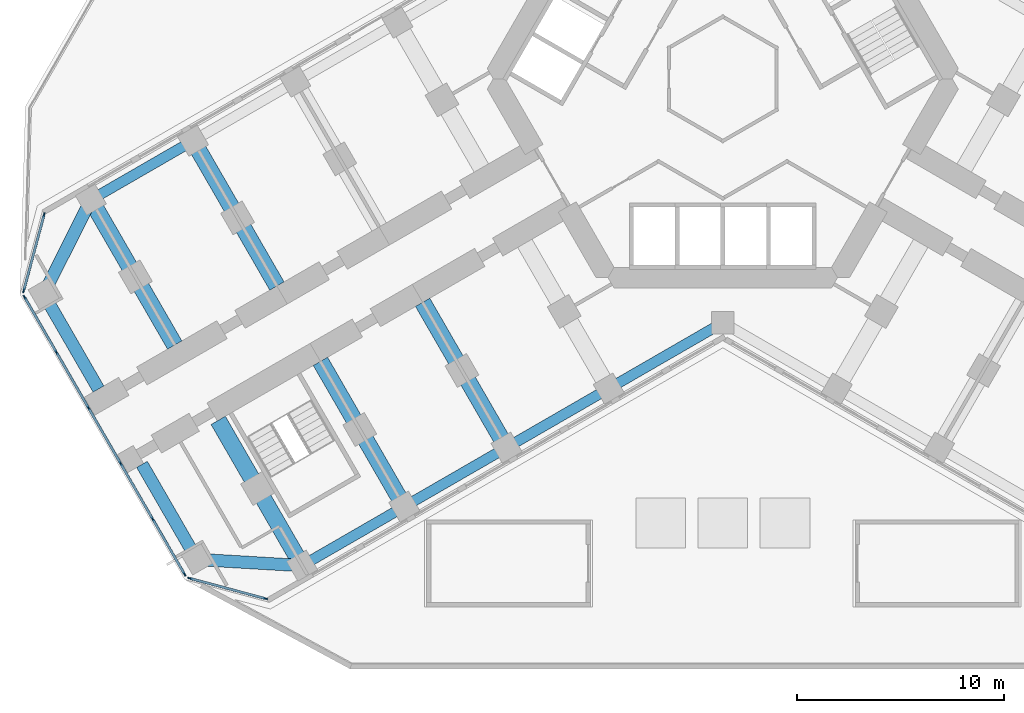
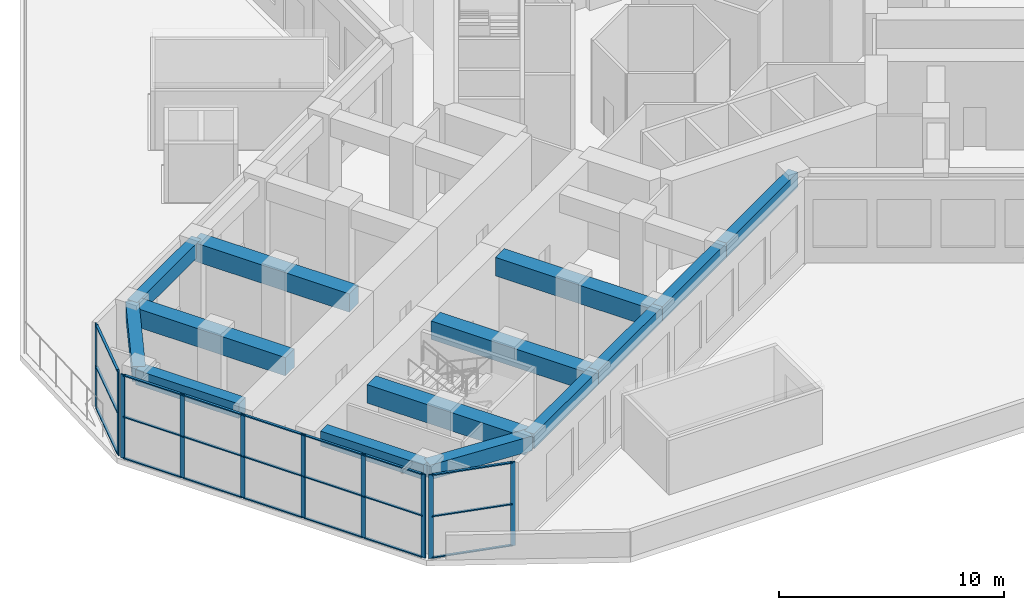
# One storey, part 2 of 18: 31 members, 14 beams, 3 elements without a shape of their own.
"""IFC4 building model written with IfcOpenShell, lengths in metres."""

from ifc_helpers import new_model, si_unit, direction, frame, origin, origin_2d, place, context, subcontext, project, spatial, rectangle, extrude, material, material_profile, profile_set, type_object, element, aggregate, save


model = new_model("IFC4")

# Units and contexts
model_context = context("Model", 3, precision=1e-05, world=origin(), true_north=direction((0.0, 1.0)))
body_context = subcontext(model_context, "Body", "Model", "MODEL_VIEW")
ifc_project = project(units=[si_unit("LENGTHUNIT", "METRE"), si_unit("AREAUNIT", "SQUARE_METRE"), si_unit("VOLUMEUNIT", "CUBIC_METRE"), si_unit("PLANEANGLEUNIT", "RADIAN"), si_unit("MASSUNIT", "GRAM", prefix="KILO")], contexts=[model_context])

# Site, building, storey
site_placement = place(None, origin())
site = spatial("IfcSite", under=ifc_project, at=site_placement, CompositionType="ELEMENT")
building_placement = place(site_placement, origin())
building = spatial("IfcBuilding", under=site, at=building_placement, Name="Kosmar Iwan School Tower", CompositionType="ELEMENT")
storey_placement = place(building_placement, frame((0.0, 0.0, 20.39990234375)))
storey = spatial("IfcBuildingStorey", under=building, at=storey_placement, Name="L04", CompositionType="ELEMENT", Elevation=20.39990234375)

# Curtain wall, members
ifc_material_1 = material(Name="Dark glass in black aluminium frame", Category="aluminium")
curtain_wall_type_1 = type_object("IfcCurtainWallType", Name="Chamfer curtain wall dark glass", PredefinedType="USERDEFINED", material=ifc_material_1)
curtain_wall_1_placement = place(storey_placement, origin())
curtain_wall_1 = element("IfcCurtainWall", 1, at=curtain_wall_1_placement, inside=storey, type_object=curtain_wall_type_1, Name="Curtain wall L04-F12", ObjectType="FACETED CURTAIN WALL", PredefinedType="USERDEFINED")
ifc_material_2 = material(Name="Black anodised aluminium", Category="aluminium")
ifc_material_profile_1 = material_profile(ifc_material_2, rectangle(XDim=0.06494140625, YDim=0.219970703125, at=origin_2d()), Name="MULLION 65x220")
ifc_profile_set_1 = profile_set([ifc_material_profile_1], Name="Black anodised aluminium")
member_type_1 = type_object("IfcMemberType", Name="Podium mullion 65x220", PredefinedType="MULLION", material=ifc_profile_set_1)
member_1_placement = place(storey_placement, frame((-32.78125, -6.57568359375, 0.0), z_axis=(0.0, 0.0, 1.0), x_axis=(0.965925875495, -0.258818861462, 0.0)))
member_1 = element("IfcMember", 2, at=member_1_placement, type_object=member_type_1, Name="CW2 mullion 1", PredefinedType="MULLION", context=body_context, shape_type="SweptSolid", body=[
    extrude(rectangle(XDim=0.06494140625, YDim=0.219970703125, at=origin_2d()), origin(), (0.0, 0.0, 1.0), 4.550048828125),
])
member_2_placement = place(storey_placement, frame((-33.758056640625, -10.22119140625, 0.0), z_axis=(0.0, 0.0, 1.0), x_axis=(0.965925875495, -0.258818861462, 0.0)))
member_2 = element("IfcMember", 3, at=member_2_placement, type_object=member_type_1, Name="CW2 mullion 2", PredefinedType="MULLION", context=body_context, shape_type="SweptSolid", body=[
    extrude(rectangle(XDim=0.06494140625, YDim=0.219970703125, at=origin_2d()), origin(), (0.0, 0.0, 1.0), 4.550048828125),
])

ifc_material_3 = material(Name="Dark glass in black aluminium frame", Category="aluminium")
curtain_wall_type_2 = type_object("IfcCurtainWallType", Name="Tower curtain wall dark glass", PredefinedType="USERDEFINED", material=ifc_material_3)
curtain_wall_2_placement = place(storey_placement, origin())
curtain_wall_2 = element("IfcCurtainWall", 4, at=curtain_wall_2_placement, inside=storey, type_object=curtain_wall_type_2, Name="Curtain wall L04-F13", ObjectType="UNITISED CURTAIN WALL", PredefinedType="USERDEFINED")
member_3_placement = place(storey_placement, frame((-33.714111328125, -10.555419921875, 0.0), z_axis=(0.0, 0.0, 1.0), x_axis=(0.866025405329, 0.499999997325, 0.0)))
member_3 = element("IfcMember", 5, at=member_3_placement, type_object=member_type_1, Name="CW1 mullion 1", PredefinedType="MULLION", context=body_context, shape_type="SweptSolid", body=[
    extrude(rectangle(XDim=0.06494140625, YDim=0.219970703125, at=origin_2d()), origin(), (0.0, 0.0, 1.0), 4.550048828125),
])
member_4_placement = place(storey_placement, frame((-32.1806640625, -13.21142578125, 0.0), z_axis=(0.0, 0.0, 1.0), x_axis=(0.866025405329, 0.499999997325, 0.0)))
member_4 = element("IfcMember", 6, at=member_4_placement, type_object=member_type_1, Name="CW1 mullion 2", PredefinedType="MULLION", context=body_context, shape_type="SweptSolid", body=[
    extrude(rectangle(XDim=0.06494140625, YDim=0.219970703125, at=origin_2d()), origin(), (0.0, 0.0, 1.0), 4.550048828125),
])
member_5_placement = place(storey_placement, frame((-30.631103515625, -15.8955078125, 0.0), z_axis=(0.0, 0.0, 1.0), x_axis=(0.866025405329, 0.499999997325, 0.0)))
member_5 = element("IfcMember", 7, at=member_5_placement, type_object=member_type_1, Name="CW1 mullion 3", PredefinedType="MULLION", context=body_context, shape_type="SweptSolid", body=[
    extrude(rectangle(XDim=0.06494140625, YDim=0.219970703125, at=origin_2d()), origin(), (0.0, 0.0, 1.0), 4.550048828125),
])
member_6_placement = place(storey_placement, frame((-29.081298828125, -18.57958984375, 0.0), z_axis=(0.0, 0.0, 1.0), x_axis=(0.866025405329, 0.499999997325, 0.0)))
member_6 = element("IfcMember", 8, at=member_6_placement, type_object=member_type_1, Name="CW1 mullion 4", PredefinedType="MULLION", context=body_context, shape_type="SweptSolid", body=[
    extrude(rectangle(XDim=0.06494140625, YDim=0.219970703125, at=origin_2d()), origin(), (0.0, 0.0, 1.0), 4.550048828125),
])
member_7_placement = place(storey_placement, frame((-27.53173828125, -21.263671875, 0.0), z_axis=(0.0, 0.0, 1.0), x_axis=(0.866025405329, 0.499999997325, 0.0)))
member_7 = element("IfcMember", 9, at=member_7_placement, type_object=member_type_1, Name="CW1 mullion 5", PredefinedType="MULLION", context=body_context, shape_type="SweptSolid", body=[
    extrude(rectangle(XDim=0.06494140625, YDim=0.219970703125, at=origin_2d()), origin(), (0.0, 0.0, 1.0), 4.550048828125),
])
member_8_placement = place(storey_placement, frame((-25.998291015625, -23.91943359375, 0.0), z_axis=(0.0, 0.0, 1.0), x_axis=(0.866025405329, 0.499999997325, 0.0)))
member_8 = element("IfcMember", 10, at=member_8_placement, type_object=member_type_1, Name="CW1 mullion 6", PredefinedType="MULLION", context=body_context, shape_type="SweptSolid", body=[
    extrude(rectangle(XDim=0.06494140625, YDim=0.219970703125, at=origin_2d()), origin(), (0.0, 0.0, 1.0), 4.550048828125),
])

curtain_wall_3_placement = place(storey_placement, origin())
curtain_wall_3 = element("IfcCurtainWall", 11, at=curtain_wall_3_placement, inside=storey, type_object=curtain_wall_type_1, Name="Curtain wall L04-F14", ObjectType="FACETED CURTAIN WALL", PredefinedType="USERDEFINED")
member_9_placement = place(storey_placement, frame((-25.730712890625, -24.124755859375, 0.0), z_axis=(0.0, 0.0, 1.0), x_axis=(0.258818861462, 0.965925875495, 0.0)))
member_9 = element("IfcMember", 12, at=member_9_placement, type_object=member_type_1, Name="CW2 mullion 1", PredefinedType="MULLION", context=body_context, shape_type="SweptSolid", body=[
    extrude(rectangle(XDim=0.06494140625, YDim=0.219970703125, at=origin_2d()), origin(), (0.0, 0.0, 1.0), 4.550048828125),
])
member_10_placement = place(storey_placement, frame((-22.08544921875, -25.1015625, 0.0), z_axis=(0.0, 0.0, 1.0), x_axis=(0.258818861462, 0.965925875495, 0.0)))
member_10 = element("IfcMember", 13, at=member_10_placement, type_object=member_type_1, Name="CW2 mullion 2", PredefinedType="MULLION", context=body_context, shape_type="SweptSolid", body=[
    extrude(rectangle(XDim=0.06494140625, YDim=0.219970703125, at=origin_2d()), origin(), (0.0, 0.0, 1.0), 4.550048828125),
])

# Beams
ifc_material_4 = material(Name="Concrete C50/60", Category="concrete")
ifc_material_profile_2 = material_profile(ifc_material_4, rectangle(XDim=0.5, YDim=0.800048828125, at=origin_2d()), Name="RC 500x800")
ifc_profile_set_2 = profile_set([ifc_material_profile_2], Name="Concrete C50/60")
beam_type_1 = type_object("IfcBeamType", Name="RC edge beam 500x800", PredefinedType="BEAM", material=ifc_profile_set_2)
beam_1_placement = place(storey_placement, frame((0.0, -11.77783203125, 4.150146484375), z_axis=(-0.866014293216, -0.500019243575, 0.0), x_axis=(0.500019243575, -0.866014293216, 0.0)))
element("IfcBeam", 14, at=beam_1_placement, inside=storey, type_object=beam_type_1, Name="Edge beam BL1", PredefinedType="BEAM", context=body_context, shape_type="SweptSolid", body=[
    extrude(rectangle(XDim=0.5, YDim=0.800048828125, at=origin_2d()), origin(), (0.0, 0.0, 1.0), 6.361083984375),
])
beam_2_placement = place(storey_placement, frame((-5.5087890625, -14.95849609375, 4.150146484375), z_axis=(-0.866033658841, -0.49998570155, 0.0), x_axis=(0.49998570155, -0.866033658841, 0.0)))
element("IfcBeam", 15, at=beam_2_placement, inside=storey, type_object=beam_type_1, Name="Edge beam BL2", PredefinedType="BEAM", context=body_context, shape_type="SweptSolid", body=[
    extrude(rectangle(XDim=0.5, YDim=0.800048828125, at=origin_2d()), origin(), (0.0, 0.0, 1.0), 5.699951171875),
])
beam_3_placement = place(storey_placement, frame((-10.445068359375, -17.808349609375, 4.150146484375), z_axis=(-0.866025820012, -0.499999279071, 0.0), x_axis=(0.499999279071, -0.866025820012, 0.0)))
element("IfcBeam", 16, at=beam_3_placement, inside=storey, type_object=beam_type_1, Name="Edge beam BL3", PredefinedType="BEAM", context=body_context, shape_type="SweptSolid", body=[
    extrude(rectangle(XDim=0.5, YDim=0.800048828125, at=origin_2d()), origin(), (0.0, 0.0, 1.0), 5.7001953125),
])
for number, where, z_axis, x_axis, name in (
    (17, (-15.381591796875, -20.658447265625, 4.150146484375), (-0.866015111908, -0.50001782563, 0.0), (0.50001782563, -0.866015111908, 0.0), "Edge beam BL4"),
    (18, (-25.58154296875, -2.991455078125, 4.150146484375), (-0.866015111908, -0.50001782563, 0.0), (0.50001782563, -0.866015111908, 0.0), "Edge beam BR4"),
):
    element("IfcBeam", number, at=place(storey_placement, frame(where, z_axis=z_axis, x_axis=x_axis)), inside=storey, type_object=beam_type_1, Name=name, PredefinedType="BEAM", context=body_context, shape_type="SweptSolid", body=[
        extrude(rectangle(XDim=0.5, YDim=0.800048828125, at=origin_2d()), origin(), (0.0, 0.0, 1.0), 5.699951171875),
    ])
ifc_material_5 = material(Name="Concrete C50/60", Category="concrete")
ifc_material_profile_3 = material_profile(ifc_material_5, rectangle(XDim=0.60009765625, YDim=0.800048828125, at=origin_2d()), Name="RC 600x800")
ifc_profile_set_3 = profile_set([ifc_material_profile_3], Name="Concrete C50/60")
beam_type_2 = type_object("IfcBeamType", Name="RC tip beam 600x800", PredefinedType="BEAM", material=ifc_profile_set_3)
beam_4_placement = place(storey_placement, frame((-20.31787109375, -23.508544921875, 4.150146484375), z_axis=(-0.998260616478, 0.058955420358, 0.0), x_axis=(-0.058955420358, -0.998260616478, 0.0)))
element("IfcBeam", 19, at=beam_4_placement, inside=storey, type_object=beam_type_2, Name="Tip beam BL", PredefinedType="BEAM", context=body_context, shape_type="SweptSolid", body=[
    extrude(rectangle(XDim=0.60009765625, YDim=0.800048828125, at=origin_2d()), origin(), (0.0, 0.0, 1.0), 5.08935546875),
])
beam_5_placement = place(storey_placement, frame((-25.3984375, -23.20849609375, 4.150146484375), z_axis=(-0.499993606316, 0.866029095148, 0.0), x_axis=(-0.866029095148, -0.499993606316, 0.0)))
element("IfcBeam", 20, at=beam_5_placement, inside=storey, type_object=beam_type_2, Name="Tip beam BL to corridor wall", PredefinedType="BEAM", context=body_context, shape_type="SweptSolid", body=[
    extrude(rectangle(XDim=0.60009765625, YDim=0.800048828125, at=origin_2d()), origin(), (0.0, 0.0, 1.0), 5.2998046875),
])
beam_6_placement = place(storey_placement, frame((-30.517822265625, -5.841552734375, 4.150146484375), z_axis=(-0.44809604203, -0.893985423325, 0.0), x_axis=(0.893985423325, -0.44809604203, 0.0)))
element("IfcBeam", 21, at=beam_6_placement, inside=storey, type_object=beam_type_2, Name="Tip beam BR", PredefinedType="BEAM", context=body_context, shape_type="SweptSolid", body=[
    extrude(rectangle(XDim=0.60009765625, YDim=0.800048828125, at=origin_2d()), origin(), (0.0, 0.0, 1.0), 5.08935546875),
])
beam_7_placement = place(storey_placement, frame((-32.79833984375, -10.391357421875, 4.150146484375), z_axis=(0.499973660256, -0.866040610509, 0.0), x_axis=(0.866040610509, 0.499973660256, 0.0)))
element("IfcBeam", 22, at=beam_7_placement, inside=storey, type_object=beam_type_2, Name="Tip beam BR to corridor wall", PredefinedType="BEAM", context=body_context, shape_type="SweptSolid", body=[
    extrude(rectangle(XDim=0.60009765625, YDim=0.800048828125, at=origin_2d()), origin(), (0.0, 0.0, 1.0), 5.300048828125),
])
ifc_material_6 = material(Name="Concrete C50/60", Category="concrete")
ifc_material_profile_4 = material_profile(ifc_material_6, rectangle(XDim=0.800048828125, YDim=1.0, at=origin_2d()), Name="RC 800x1000")
ifc_profile_set_4 = profile_set([ifc_material_profile_4], Name="Concrete C50/60")
beam_type_3 = type_object("IfcBeamType", Name="RC transverse beam 800x1000", PredefinedType="BEAM", material=ifc_profile_set_4)
beam_8_placement = place(storey_placement, frame((-10.445068359375, -17.808349609375, 4.050048828125), z_axis=(-0.500012932018, 0.866017937352, 0.0), x_axis=(-0.866017937352, -0.500012932018, 0.0)))
element("IfcBeam", 23, at=beam_8_placement, inside=storey, type_object=beam_type_3, Name="Transverse beam BL2", PredefinedType="BEAM", context=body_context, shape_type="SweptSolid", body=[
    extrude(rectangle(XDim=0.800048828125, YDim=1.0, at=origin_2d()), origin(), (0.0, 0.0, 1.0), 8.099853515625),
])
for number, where, z_axis, x_axis, name in (
    (24, (-15.381591796875, -20.658447265625, 4.050048828125), (-0.499977274689, 0.866038523851, 0.0), (-0.866038523851, -0.499977274689, 0.0), "Transverse beam BL3"),
    (25, (-20.31787109375, -23.508544921875, 4.050048828125), (-0.499999880539, 0.866025472755, 0.0), (-0.866025472755, -0.499999880539, 0.0), "Transverse beam BL4"),
    (26, (-25.58154296875, -2.991455078125, 4.050048828125), (0.499999880539, -0.866025472755, 0.0), (0.866025472755, 0.499999880539, 0.0), "Transverse beam BR3"),
    (27, (-30.517822265625, -5.841552734375, 4.050048828125), (0.499999880539, -0.866025472755, 0.0), (0.866025472755, 0.499999880539, 0.0), "Transverse beam BR4"),
):
    element("IfcBeam", number, at=place(storey_placement, frame(where, z_axis=z_axis, x_axis=x_axis)), inside=storey, type_object=beam_type_3, Name=name, PredefinedType="BEAM", context=body_context, shape_type="SweptSolid", body=[
        extrude(rectangle(XDim=0.800048828125, YDim=1.0, at=origin_2d()), origin(), (0.0, 0.0, 1.0), 8.10009765625),
    ])

# Member
ifc_material_7 = material(Name="Black anodised aluminium", Category="aluminium")
ifc_material_profile_5 = material_profile(ifc_material_7, rectangle(XDim=0.1201171875, YDim=0.06005859375, at=origin_2d()), Name="TRANSOM 60x120")
ifc_profile_set_5 = profile_set([ifc_material_profile_5], Name="Black anodised aluminium")
member_type_2 = type_object("IfcMemberType", Name="Transom 60x120", PredefinedType="USERDEFINED", material=ifc_profile_set_5)
member_11_placement = place(storey_placement, frame((-32.789794921875, -6.607177734375, 0.030029296875), z_axis=(-0.258826018906, -0.965923957637, 0.0), x_axis=(0.965923957637, -0.258826018906, 0.0)))
member_11 = element("IfcMember", 28, at=member_11_placement, type_object=member_type_2, Name="CW2 transom 1.1", ObjectType="TRANSOM", PredefinedType="USERDEFINED", context=body_context, shape_type="SweptSolid", body=[
    extrude(rectangle(XDim=0.1201171875, YDim=0.06005859375, at=origin_2d()), origin(), (0.0, 0.0, 1.0), 3.708984375),
])

member_12_placement = place(storey_placement, frame((-32.789794921875, -6.607177734375, 2.275146484375), z_axis=(-0.258826018906, -0.965923957637, 0.0), x_axis=(0.965923957637, -0.258826018906, 0.0)))
member_12 = element("IfcMember", 29, at=member_12_placement, type_object=member_type_2, Name="CW2 transom 1.2", ObjectType="TRANSOM", PredefinedType="USERDEFINED", context=body_context, shape_type="SweptSolid", body=[
    extrude(rectangle(XDim=0.1201171875, YDim=0.06005859375, at=origin_2d()), origin(), (0.0, 0.0, 1.0), 3.708984375),
])

member_13_placement = place(storey_placement, frame((-32.789794921875, -6.607177734375, 4.52001953125), z_axis=(-0.258826018906, -0.965923957637, 0.0), x_axis=(0.965923957637, -0.258826018906, 0.0)))
member_13 = element("IfcMember", 30, at=member_13_placement, type_object=member_type_2, Name="CW2 transom 1.3", ObjectType="TRANSOM", PredefinedType="USERDEFINED", context=body_context, shape_type="SweptSolid", body=[
    extrude(rectangle(XDim=0.1201171875, YDim=0.06005859375, at=origin_2d()), origin(), (0.0, 0.0, 1.0), 3.708984375),
])

aggregate(curtain_wall_1, [member_1, member_2, member_11, member_12, member_13])

member_14_placement = place(storey_placement, frame((-33.69775390625, -10.583740234375, 0.030029296875), z_axis=(0.499961833423, -0.866047438147, 0.0), x_axis=(0.866047438147, 0.499961833423, 0.0)))
member_14 = element("IfcMember", 31, at=member_14_placement, type_object=member_type_2, Name="CW1 transom 1.1", ObjectType="TRANSOM", PredefinedType="USERDEFINED", context=body_context, shape_type="SweptSolid", body=[
    extrude(rectangle(XDim=0.1201171875, YDim=0.06005859375, at=origin_2d()), origin(), (0.0, 0.0, 1.0), 3.001708984375),
])

member_15_placement = place(storey_placement, frame((-33.69775390625, -10.583740234375, 2.275146484375), z_axis=(0.499961833423, -0.866047438147, 0.0), x_axis=(0.866047438147, 0.499961833423, 0.0)))
member_15 = element("IfcMember", 32, at=member_15_placement, type_object=member_type_2, Name="CW1 transom 1.2", ObjectType="TRANSOM", PredefinedType="USERDEFINED", context=body_context, shape_type="SweptSolid", body=[
    extrude(rectangle(XDim=0.1201171875, YDim=0.06005859375, at=origin_2d()), origin(), (0.0, 0.0, 1.0), 3.001708984375),
])

member_16_placement = place(storey_placement, frame((-33.69775390625, -10.583740234375, 4.52001953125), z_axis=(0.499961833423, -0.866047438147, 0.0), x_axis=(0.866047438147, 0.499961833423, 0.0)))
member_16 = element("IfcMember", 33, at=member_16_placement, type_object=member_type_2, Name="CW1 transom 1.3", ObjectType="TRANSOM", PredefinedType="USERDEFINED", context=body_context, shape_type="SweptSolid", body=[
    extrude(rectangle(XDim=0.1201171875, YDim=0.06005859375, at=origin_2d()), origin(), (0.0, 0.0, 1.0), 3.001708984375),
])

member_17_placement = place(storey_placement, frame((-32.16455078125, -13.239501953125, 0.030029296875), z_axis=(0.500024238858, -0.866011409021, 0.0), x_axis=(0.866011409021, 0.500024238858, 0.0)))
member_17 = element("IfcMember", 34, at=member_17_placement, type_object=member_type_2, Name="CW1 transom 2.1", ObjectType="TRANSOM", PredefinedType="USERDEFINED", context=body_context, shape_type="SweptSolid", body=[
    extrude(rectangle(XDim=0.1201171875, YDim=0.06005859375, at=origin_2d()), origin(), (0.0, 0.0, 1.0), 3.034423828125),
])

member_18_placement = place(storey_placement, frame((-32.16455078125, -13.239501953125, 2.275146484375), z_axis=(0.500024238858, -0.866011409021, 0.0), x_axis=(0.866011409021, 0.500024238858, 0.0)))
member_18 = element("IfcMember", 35, at=member_18_placement, type_object=member_type_2, Name="CW1 transom 2.2", ObjectType="TRANSOM", PredefinedType="USERDEFINED", context=body_context, shape_type="SweptSolid", body=[
    extrude(rectangle(XDim=0.1201171875, YDim=0.06005859375, at=origin_2d()), origin(), (0.0, 0.0, 1.0), 3.034423828125),
])

member_19_placement = place(storey_placement, frame((-32.16455078125, -13.239501953125, 4.52001953125), z_axis=(0.500024238858, -0.866011409021, 0.0), x_axis=(0.866011409021, 0.500024238858, 0.0)))
member_19 = element("IfcMember", 36, at=member_19_placement, type_object=member_type_2, Name="CW1 transom 2.3", ObjectType="TRANSOM", PredefinedType="USERDEFINED", context=body_context, shape_type="SweptSolid", body=[
    extrude(rectangle(XDim=0.1201171875, YDim=0.06005859375, at=origin_2d()), origin(), (0.0, 0.0, 1.0), 3.034423828125),
])

member_20_placement = place(storey_placement, frame((-30.61474609375, -15.923583984375, 0.030029296875), z_axis=(0.499998735884, -0.866026133621, 0.0), x_axis=(0.866026133621, 0.499998735884, 0.0)))
member_20 = element("IfcMember", 37, at=member_20_placement, type_object=member_type_2, Name="CW1 transom 3.1", ObjectType="TRANSOM", PredefinedType="USERDEFINED", context=body_context, shape_type="SweptSolid", body=[
    extrude(rectangle(XDim=0.1201171875, YDim=0.06005859375, at=origin_2d()), origin(), (0.0, 0.0, 1.0), 3.0341796875),
])

member_21_placement = place(storey_placement, frame((-30.61474609375, -15.923583984375, 2.275146484375), z_axis=(0.499998735884, -0.866026133621, 0.0), x_axis=(0.866026133621, 0.499998735884, 0.0)))
member_21 = element("IfcMember", 38, at=member_21_placement, type_object=member_type_2, Name="CW1 transom 3.2", ObjectType="TRANSOM", PredefinedType="USERDEFINED", context=body_context, shape_type="SweptSolid", body=[
    extrude(rectangle(XDim=0.1201171875, YDim=0.06005859375, at=origin_2d()), origin(), (0.0, 0.0, 1.0), 3.0341796875),
])

member_22_placement = place(storey_placement, frame((-30.61474609375, -15.923583984375, 4.52001953125), z_axis=(0.499998735884, -0.866026133621, 0.0), x_axis=(0.866026133621, 0.499998735884, 0.0)))
member_22 = element("IfcMember", 39, at=member_22_placement, type_object=member_type_2, Name="CW1 transom 3.3", ObjectType="TRANSOM", PredefinedType="USERDEFINED", context=body_context, shape_type="SweptSolid", body=[
    extrude(rectangle(XDim=0.1201171875, YDim=0.06005859375, at=origin_2d()), origin(), (0.0, 0.0, 1.0), 3.0341796875),
])

member_23_placement = place(storey_placement, frame((-29.065185546875, -18.607666015625, 0.030029296875), z_axis=(0.499998735884, -0.866026133621, 0.0), x_axis=(0.866026133621, 0.499998735884, 0.0)))
member_23 = element("IfcMember", 40, at=member_23_placement, type_object=member_type_2, Name="CW1 transom 4.1", ObjectType="TRANSOM", PredefinedType="USERDEFINED", context=body_context, shape_type="SweptSolid", body=[
    extrude(rectangle(XDim=0.1201171875, YDim=0.06005859375, at=origin_2d()), origin(), (0.0, 0.0, 1.0), 3.0341796875),
])

member_24_placement = place(storey_placement, frame((-29.065185546875, -18.607666015625, 2.275146484375), z_axis=(0.499998735884, -0.866026133621, 0.0), x_axis=(0.866026133621, 0.499998735884, 0.0)))
member_24 = element("IfcMember", 41, at=member_24_placement, type_object=member_type_2, Name="CW1 transom 4.2", ObjectType="TRANSOM", PredefinedType="USERDEFINED", context=body_context, shape_type="SweptSolid", body=[
    extrude(rectangle(XDim=0.1201171875, YDim=0.06005859375, at=origin_2d()), origin(), (0.0, 0.0, 1.0), 3.0341796875),
])

member_25_placement = place(storey_placement, frame((-29.065185546875, -18.607666015625, 4.52001953125), z_axis=(0.499998735884, -0.866026133621, 0.0), x_axis=(0.866026133621, 0.499998735884, 0.0)))
member_25 = element("IfcMember", 42, at=member_25_placement, type_object=member_type_2, Name="CW1 transom 4.3", ObjectType="TRANSOM", PredefinedType="USERDEFINED", context=body_context, shape_type="SweptSolid", body=[
    extrude(rectangle(XDim=0.1201171875, YDim=0.06005859375, at=origin_2d()), origin(), (0.0, 0.0, 1.0), 3.0341796875),
])

member_26_placement = place(storey_placement, frame((-27.515625, -21.291748046875, 0.030029296875), z_axis=(0.500022833518, -0.866012220445, 0.0), x_axis=(0.866012220445, 0.500022833518, 0.0)))
member_26 = element("IfcMember", 43, at=member_26_placement, type_object=member_type_2, Name="CW1 transom 5.1", ObjectType="TRANSOM", PredefinedType="USERDEFINED", context=body_context, shape_type="SweptSolid", body=[
    extrude(rectangle(XDim=0.1201171875, YDim=0.06005859375, at=origin_2d()), origin(), (0.0, 0.0, 1.0), 3.001708984375),
])

member_27_placement = place(storey_placement, frame((-27.515625, -21.291748046875, 2.275146484375), z_axis=(0.500022833518, -0.866012220445, 0.0), x_axis=(0.866012220445, 0.500022833518, 0.0)))
member_27 = element("IfcMember", 44, at=member_27_placement, type_object=member_type_2, Name="CW1 transom 5.2", ObjectType="TRANSOM", PredefinedType="USERDEFINED", context=body_context, shape_type="SweptSolid", body=[
    extrude(rectangle(XDim=0.1201171875, YDim=0.06005859375, at=origin_2d()), origin(), (0.0, 0.0, 1.0), 3.001708984375),
])

member_28_placement = place(storey_placement, frame((-27.515625, -21.291748046875, 4.52001953125), z_axis=(0.500022833518, -0.866012220445, 0.0), x_axis=(0.866012220445, 0.500022833518, 0.0)))
member_28 = element("IfcMember", 45, at=member_28_placement, type_object=member_type_2, Name="CW1 transom 5.3", ObjectType="TRANSOM", PredefinedType="USERDEFINED", context=body_context, shape_type="SweptSolid", body=[
    extrude(rectangle(XDim=0.1201171875, YDim=0.06005859375, at=origin_2d()), origin(), (0.0, 0.0, 1.0), 3.001708984375),
])

aggregate(curtain_wall_2, [member_3, member_4, member_5, member_6, member_7, member_8, member_14, member_15, member_16, member_17, member_18, member_19, member_20, member_21, member_22, member_23, member_24, member_25, member_26, member_27, member_28])

member_29_placement = place(storey_placement, frame((-25.699462890625, -24.13330078125, 0.030029296875), z_axis=(0.965928366929, -0.258809563119, 0.0), x_axis=(0.258809563119, 0.965928366929, 0.0)))
member_29 = element("IfcMember", 46, at=member_29_placement, type_object=member_type_2, Name="CW2 transom 1.1", ObjectType="TRANSOM", PredefinedType="USERDEFINED", context=body_context, shape_type="SweptSolid", body=[
    extrude(rectangle(XDim=0.1201171875, YDim=0.06005859375, at=origin_2d()), origin(), (0.0, 0.0, 1.0), 3.709228515625),
])

member_30_placement = place(storey_placement, frame((-25.699462890625, -24.13330078125, 2.275146484375), z_axis=(0.965928366929, -0.258809563119, 0.0), x_axis=(0.258809563119, 0.965928366929, 0.0)))
member_30 = element("IfcMember", 47, at=member_30_placement, type_object=member_type_2, Name="CW2 transom 1.2", ObjectType="TRANSOM", PredefinedType="USERDEFINED", context=body_context, shape_type="SweptSolid", body=[
    extrude(rectangle(XDim=0.1201171875, YDim=0.06005859375, at=origin_2d()), origin(), (0.0, 0.0, 1.0), 3.709228515625),
])

member_31_placement = place(storey_placement, frame((-25.699462890625, -24.13330078125, 4.52001953125), z_axis=(0.965928366929, -0.258809563119, 0.0), x_axis=(0.258809563119, 0.965928366929, 0.0)))
member_31 = element("IfcMember", 48, at=member_31_placement, type_object=member_type_2, Name="CW2 transom 1.3", ObjectType="TRANSOM", PredefinedType="USERDEFINED", context=body_context, shape_type="SweptSolid", body=[
    extrude(rectangle(XDim=0.1201171875, YDim=0.06005859375, at=origin_2d()), origin(), (0.0, 0.0, 1.0), 3.709228515625),
])

aggregate(curtain_wall_3, [member_9, member_10, member_29, member_30, member_31])

save(model, "model.ifc")
